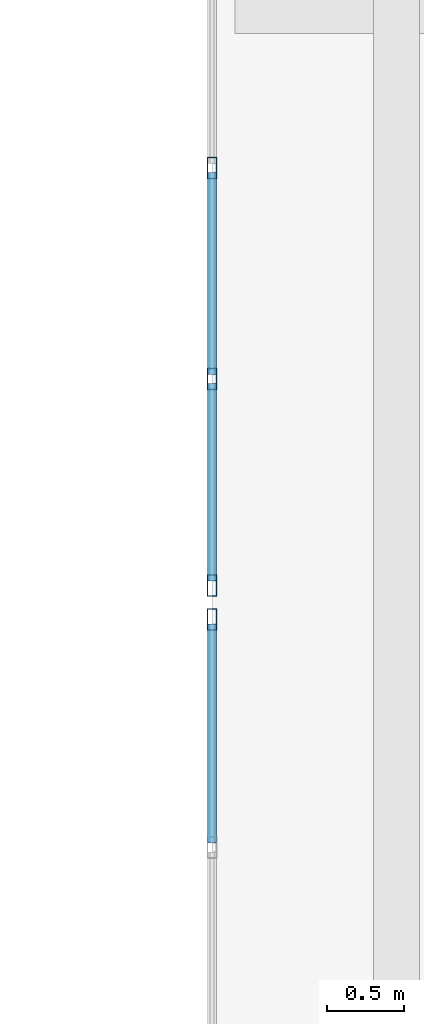
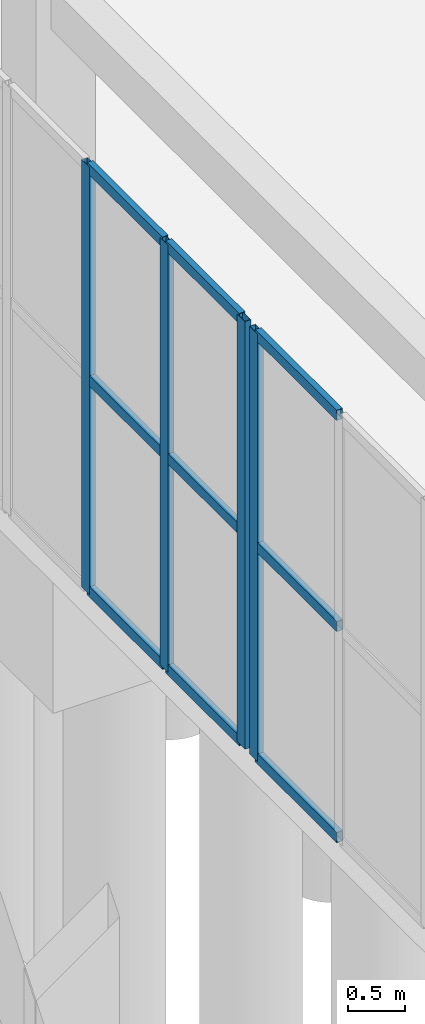
# One storey, part 84 of 192: 13 members, 2 elements without a shape of their own.
"""IFC4 building model written with IfcOpenShell, lengths in metres."""

from ifc_helpers import new_model, si_unit, direction, frame, origin, origin_2d, place, context, subcontext, project, spatial, hollow_rectangle, extrude, material, layer, layer_set, material_profile, profile_set, type_object, element, aggregate, save


model = new_model("IFC4")

# Units and contexts
model_context = context("Model", 3, precision=1e-05, world=origin(), true_north=direction((0.0, 1.0)))
body_context = subcontext(model_context, "Body", "Model", "MODEL_VIEW")
ifc_project = project(units=[si_unit("LENGTHUNIT", "METRE"), si_unit("AREAUNIT", "SQUARE_METRE"), si_unit("VOLUMEUNIT", "CUBIC_METRE"), si_unit("PLANEANGLEUNIT", "RADIAN"), si_unit("MASSUNIT", "GRAM", prefix="KILO")], contexts=[model_context])

# Site, building, storey
site_placement = place(None, origin())
site = spatial("IfcSite", under=ifc_project, at=site_placement, CompositionType="ELEMENT")
building_placement = place(site_placement, origin())
building = spatial("IfcBuilding", under=site, at=building_placement, Name="Trelvath General Hospital", CompositionType="ELEMENT")
storey_placement = place(building_placement, origin())
storey = spatial("IfcBuildingStorey", under=building, at=storey_placement, Name="L00", CompositionType="ELEMENT", Elevation=0.0)

# Curtain wall, member
ifc_material_1 = material(Name="Anodised aluminium and low-E glass", Category="aluminium")
ifc_layer_1 = layer(ifc_material_1, 0.139892578125)
ifc_layer_set_1 = layer_set([ifc_layer_1], Name="Anodised aluminium and low-E glass")
curtain_wall_type_1 = type_object("IfcCurtainWallType", Name="CW CrystalCube 1664 456 14", PredefinedType="USERDEFINED", material=ifc_layer_set_1)
curtain_wall_1_placement = place(storey_placement, origin())
curtain_wall_1 = element("IfcCurtainWall", 1, at=curtain_wall_1_placement, inside=storey, type_object=curtain_wall_type_1, Name="Crystal Cube Curtain Wall CUBE-W-T0 W4 L00", ObjectType="Unitised Glazed Curtain Wall", PredefinedType="USERDEFINED")
ifc_material_2 = material(Name="Anodised aluminium", Category="aluminium")
ifc_material_profile_1 = material_profile(ifc_material_2, hollow_rectangle(XDim=0.06005859375, YDim=0.139892578125, WallThickness=0.00390625, at=origin_2d()), Name="RHS60x140x4")
ifc_profile_set_1 = profile_set([ifc_material_profile_1], Name="Anodised aluminium")
member_type_1 = type_object("IfcMemberType", Name="CurtainMullion 60x140", PredefinedType="MULLION", material=ifc_profile_set_1)
member_1_placement = place(storey_placement, frame((46.800048828125, 67.090087890625, 0.0), z_axis=(0.0, 0.0, 1.0), x_axis=(-1.0, 0.0, 0.0)))
member_1 = element("IfcMember", 2, at=member_1_placement, type_object=member_type_1, Name="CW-099 mullion 12", PredefinedType="MULLION", context=body_context, shape_type="SweptSolid", body=[
    extrude(hollow_rectangle(XDim=0.06005859375, YDim=0.139892578125, WallThickness=0.00390625, at=origin_2d()), origin(), (0.0, 0.0, 1.0), 4.56005859375),
])

# Curtain wall, members
ifc_material_3 = material(Name="Anodised aluminium and low-E glass", Category="aluminium")
ifc_layer_2 = layer(ifc_material_3, 0.139892578125)
ifc_layer_set_2 = layer_set([ifc_layer_2], Name="Anodised aluminium and low-E glass")
curtain_wall_type_2 = type_object("IfcCurtainWallType", Name="CW CrystalCube 824 456 14", PredefinedType="USERDEFINED", material=ifc_layer_set_2)
curtain_wall_2_placement = place(storey_placement, origin())
curtain_wall_2 = element("IfcCurtainWall", 3, at=curtain_wall_2_placement, inside=storey, type_object=curtain_wall_type_2, Name="Crystal Cube Curtain Wall CUBE-W-T0 W5 L00", ObjectType="Unitised Glazed Curtain Wall", PredefinedType="USERDEFINED")
member_2_placement = place(storey_placement, frame((46.800048828125, 67.31005859375, 0.0), z_axis=(0.0, 0.0, 1.0), x_axis=(-1.0, 0.0, 0.0)))
member_2 = element("IfcMember", 4, at=member_2_placement, type_object=member_type_1, Name="CW-100 mullion 1", PredefinedType="MULLION", context=body_context, shape_type="SweptSolid", body=[
    extrude(hollow_rectangle(XDim=0.06005859375, YDim=0.139892578125, WallThickness=0.00390625, at=origin_2d()), origin(), (0.0, 0.0, 1.0), 4.56005859375),
])
member_3_placement = place(storey_placement, frame((46.800048828125, 68.6533203125, 0.0), z_axis=(0.0, 0.0, 1.0), x_axis=(-1.0, 0.0, 0.0)))
member_3 = element("IfcMember", 5, at=member_3_placement, type_object=member_type_1, Name="CW-100 mullion 2", PredefinedType="MULLION", context=body_context, shape_type="SweptSolid", body=[
    extrude(hollow_rectangle(XDim=0.06005859375, YDim=0.139892578125, WallThickness=0.00390625, at=origin_2d()), origin(), (0.0, 0.0, 1.0), 4.56005859375),
])
member_4_placement = place(storey_placement, frame((46.800048828125, 70.026611328125, 0.0), z_axis=(0.0, 0.0, 1.0), x_axis=(-1.0, 0.0, 0.0)))
member_4 = element("IfcMember", 6, at=member_4_placement, type_object=member_type_1, Name="CW-100 mullion 3", PredefinedType="MULLION", context=body_context, shape_type="SweptSolid", body=[
    extrude(hollow_rectangle(XDim=0.06005859375, YDim=0.139892578125, WallThickness=0.00390625, at=origin_2d()), origin(), (0.0, 0.0, 1.0), 4.56005859375),
])

# Member
ifc_material_4 = material(Name="Anodised aluminium", Category="aluminium")
ifc_material_profile_2 = material_profile(ifc_material_4, hollow_rectangle(XDim=0.06005859375, YDim=0.110107421875, WallThickness=0.00390625, at=origin_2d()), Name="RHS60x110x4")
ifc_profile_set_2 = profile_set([ifc_material_profile_2], Name="Anodised aluminium")
member_type_2 = type_object("IfcMemberType", Name="CurtainTransom 60x110", PredefinedType="USERDEFINED", material=ifc_profile_set_2)
member_5_placement = place(storey_placement, frame((46.800048828125, 65.63720703125, 0.030029296875), z_axis=(0.0, 1.0, 0.0), x_axis=(-1.0, 0.0, 0.0)))
member_5 = element("IfcMember", 7, at=member_5_placement, type_object=member_type_2, Name="CW-099 transom 11.1", ObjectType="TRANSOM", PredefinedType="USERDEFINED", context=body_context, shape_type="SweptSolid", body=[
    extrude(hollow_rectangle(XDim=0.06005859375, YDim=0.110107421875, WallThickness=0.00390625, at=origin_2d()), origin(), (0.0, 0.0, 1.0), 1.4228515625),
])

member_6_placement = place(storey_placement, frame((46.800048828125, 65.63720703125, 2.280029296875), z_axis=(0.0, 1.0, 0.0), x_axis=(-1.0, 0.0, 0.0)))
member_6 = element("IfcMember", 8, at=member_6_placement, type_object=member_type_2, Name="CW-099 transom 11.2", ObjectType="TRANSOM", PredefinedType="USERDEFINED", context=body_context, shape_type="SweptSolid", body=[
    extrude(hollow_rectangle(XDim=0.06005859375, YDim=0.110107421875, WallThickness=0.00390625, at=origin_2d()), origin(), (0.0, 0.0, 1.0), 1.4228515625),
])

member_7_placement = place(storey_placement, frame((46.800048828125, 65.63720703125, 4.530029296875), z_axis=(0.0, 1.0, 0.0), x_axis=(-1.0, 0.0, 0.0)))
member_7 = element("IfcMember", 9, at=member_7_placement, type_object=member_type_2, Name="CW-099 transom 11.3", ObjectType="TRANSOM", PredefinedType="USERDEFINED", context=body_context, shape_type="SweptSolid", body=[
    extrude(hollow_rectangle(XDim=0.06005859375, YDim=0.110107421875, WallThickness=0.00390625, at=origin_2d()), origin(), (0.0, 0.0, 1.0), 1.4228515625),
])

aggregate(curtain_wall_1, [member_1, member_5, member_6, member_7])

member_8_placement = place(storey_placement, frame((46.800048828125, 67.340087890625, 0.030029296875), z_axis=(0.0, 1.0, 0.0), x_axis=(-1.0, 0.0, 0.0)))
member_8 = element("IfcMember", 10, at=member_8_placement, type_object=member_type_2, Name="CW-100 transom 1.1", ObjectType="TRANSOM", PredefinedType="USERDEFINED", context=body_context, shape_type="SweptSolid", body=[
    extrude(hollow_rectangle(XDim=0.06005859375, YDim=0.110107421875, WallThickness=0.00390625, at=origin_2d()), origin(), (0.0, 0.0, 1.0), 1.283203125),
])

member_9_placement = place(storey_placement, frame((46.800048828125, 67.340087890625, 2.280029296875), z_axis=(0.0, 1.0, 0.0), x_axis=(-1.0, 0.0, 0.0)))
member_9 = element("IfcMember", 11, at=member_9_placement, type_object=member_type_2, Name="CW-100 transom 1.2", ObjectType="TRANSOM", PredefinedType="USERDEFINED", context=body_context, shape_type="SweptSolid", body=[
    extrude(hollow_rectangle(XDim=0.06005859375, YDim=0.110107421875, WallThickness=0.00390625, at=origin_2d()), origin(), (0.0, 0.0, 1.0), 1.283203125),
])

member_10_placement = place(storey_placement, frame((46.800048828125, 67.340087890625, 4.530029296875), z_axis=(0.0, 1.0, 0.0), x_axis=(-1.0, 0.0, 0.0)))
member_10 = element("IfcMember", 12, at=member_10_placement, type_object=member_type_2, Name="CW-100 transom 1.3", ObjectType="TRANSOM", PredefinedType="USERDEFINED", context=body_context, shape_type="SweptSolid", body=[
    extrude(hollow_rectangle(XDim=0.06005859375, YDim=0.110107421875, WallThickness=0.00390625, at=origin_2d()), origin(), (0.0, 0.0, 1.0), 1.283203125),
])

member_11_placement = place(storey_placement, frame((46.800048828125, 68.683349609375, 0.030029296875), z_axis=(0.0, 1.0, 0.0), x_axis=(-1.0, 0.0, 0.0)))
member_11 = element("IfcMember", 13, at=member_11_placement, type_object=member_type_2, Name="CW-100 transom 2.1", ObjectType="TRANSOM", PredefinedType="USERDEFINED", context=body_context, shape_type="SweptSolid", body=[
    extrude(hollow_rectangle(XDim=0.06005859375, YDim=0.110107421875, WallThickness=0.00390625, at=origin_2d()), origin(), (0.0, 0.0, 1.0), 1.313232421875),
])

member_12_placement = place(storey_placement, frame((46.800048828125, 68.683349609375, 2.280029296875), z_axis=(0.0, 1.0, 0.0), x_axis=(-1.0, 0.0, 0.0)))
member_12 = element("IfcMember", 14, at=member_12_placement, type_object=member_type_2, Name="CW-100 transom 2.2", ObjectType="TRANSOM", PredefinedType="USERDEFINED", context=body_context, shape_type="SweptSolid", body=[
    extrude(hollow_rectangle(XDim=0.06005859375, YDim=0.110107421875, WallThickness=0.00390625, at=origin_2d()), origin(), (0.0, 0.0, 1.0), 1.313232421875),
])

member_13_placement = place(storey_placement, frame((46.800048828125, 68.683349609375, 4.530029296875), z_axis=(0.0, 1.0, 0.0), x_axis=(-1.0, 0.0, 0.0)))
member_13 = element("IfcMember", 15, at=member_13_placement, type_object=member_type_2, Name="CW-100 transom 2.3", ObjectType="TRANSOM", PredefinedType="USERDEFINED", context=body_context, shape_type="SweptSolid", body=[
    extrude(hollow_rectangle(XDim=0.06005859375, YDim=0.110107421875, WallThickness=0.00390625, at=origin_2d()), origin(), (0.0, 0.0, 1.0), 1.313232421875),
])

aggregate(curtain_wall_2, [member_2, member_3, member_4, member_8, member_9, member_10, member_11, member_12, member_13])

save(model, "model.ifc")
